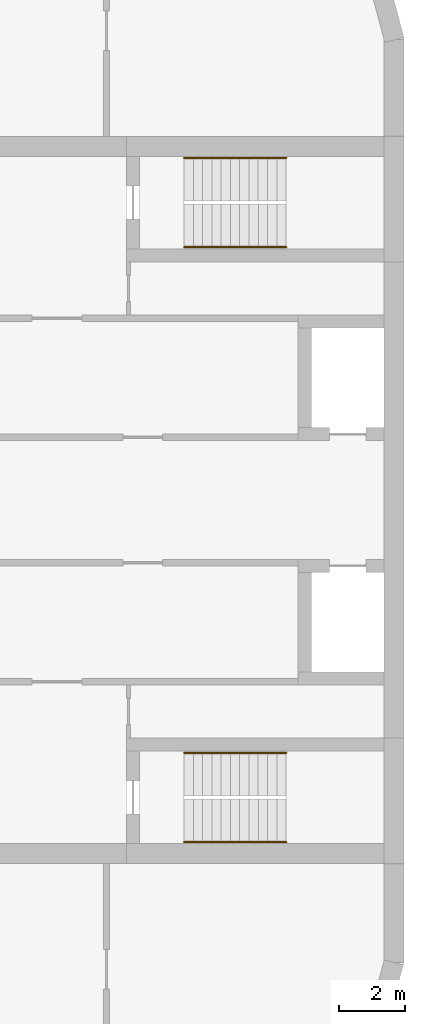
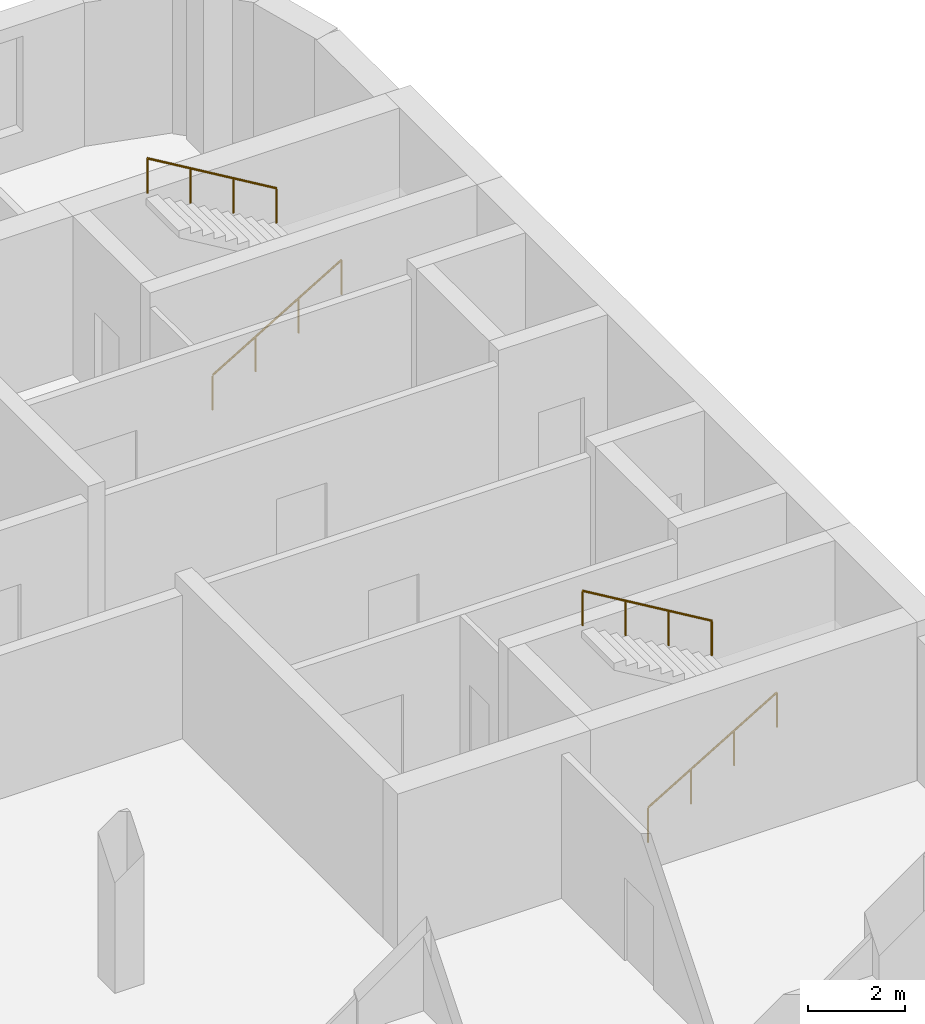
# One storey, part 12 of 12: 4 railings.
"""IFC4 building model written with IfcOpenShell, lengths in metres."""

from ifc_helpers import new_model, si_unit, direction, frame, origin, origin_2d, place, context, subcontext, project, spatial, circle, extrude, material, type_object, element, save


model = new_model("IFC4")

# Units and contexts
model_context = context("Model", 3, precision=1e-05, world=origin(), true_north=direction((0.0, 1.0)))
body_context = subcontext(model_context, "Body", "Model", "MODEL_VIEW")
ifc_project = project(units=[si_unit("LENGTHUNIT", "METRE"), si_unit("AREAUNIT", "SQUARE_METRE"), si_unit("VOLUMEUNIT", "CUBIC_METRE"), si_unit("PLANEANGLEUNIT", "RADIAN"), si_unit("MASSUNIT", "GRAM", prefix="KILO")], contexts=[model_context])

# Site, building, storey
site_placement = place(None, origin())
site = spatial("IfcSite", under=ifc_project, at=site_placement, CompositionType="ELEMENT")
building_placement = place(site_placement, origin())
building = spatial("IfcBuilding", under=site, at=building_placement, Name="Skarvind Civic Tower", CompositionType="ELEMENT")
storey_placement = place(building_placement, frame((0.0, 0.0, 63.5)))
storey = spatial("IfcBuildingStorey", under=building, at=storey_placement, Name="L14", CompositionType="ELEMENT", Elevation=63.5)

# Railings
ifc_material = material(Name="Painted steel handrail", Category="steel")
railing_type = type_object("IfcRailingType", Name="Stair handrail 900", PredefinedType="HANDRAIL", material=ifc_material)
railing_1_placement = place(storey_placement, frame((160.35009765625, 135.64990234375, 0.166748046875)))
element("IfcRailing", 1, at=railing_1_placement, inside=storey, type_object=railing_type, Name="Stair handrail", PredefinedType="HANDRAIL", context=body_context, shape_type="SweptSolid", body=[
    extrude(circle(Radius=0.02392578125, at=origin_2d()), frame((0.0, 0.0, 0.8759765625), z_axis=(0.859290745958, 0.0, 0.51148745235), x_axis=(0.0, 1.0, 0.0)), (0.0, 0.0, 1.0), 3.584228515625),
    extrude(circle(Radius=0.02099609375, at=origin_2d()), origin(), (0.0, 0.0, 1.0), 0.851806640625),
    extrude(circle(Radius=0.02099609375, at=origin_2d()), frame((1.026611328125, 0.0, 0.611083984375)), (0.0, 0.0, 1.0), 0.851806640625),
    extrude(circle(Radius=0.02099609375, at=origin_2d()), frame((2.05322265625, 0.0, 1.22216796875)), (0.0, 0.0, 1.0), 0.851806640625),
    extrude(circle(Radius=0.02099609375, at=origin_2d()), frame((3.079833984375, 0.0, 1.833251953125)), (0.0, 0.0, 1.0), 0.851806640625),
])
railing_2_placement = place(storey_placement, frame((163.429931640625, 138.35009765625, 2.166748046875)))
element("IfcRailing", 2, at=railing_2_placement, inside=storey, type_object=railing_type, Name="Stair handrail", PredefinedType="HANDRAIL", context=body_context, shape_type="SweptSolid", body=[
    extrude(circle(Radius=0.02392578125, at=origin_2d()), frame((0.0, 0.0, 0.8759765625), z_axis=(-0.859290745958, 0.0, 0.51148745235), x_axis=(0.0, -1.0, 0.0)), (0.0, 0.0, 1.0), 3.584228515625),
    extrude(circle(Radius=0.02099609375, at=origin_2d()), origin(), (0.0, 0.0, 1.0), 0.851806640625),
    extrude(circle(Radius=0.02099609375, at=origin_2d()), frame((-1.026611328125, 0.0, 0.611083984375)), (0.0, 0.0, 1.0), 0.851806640625),
    extrude(circle(Radius=0.02099609375, at=origin_2d()), frame((-2.05322265625, 0.0, 1.22216796875)), (0.0, 0.0, 1.0), 0.851806640625),
    extrude(circle(Radius=0.02099609375, at=origin_2d()), frame((-3.079833984375, 0.0, 1.833251953125)), (0.0, 0.0, 1.0), 0.851806640625),
])
railing_3_placement = place(storey_placement, frame((160.35009765625, 117.64990234375, 0.166748046875)))
element("IfcRailing", 3, at=railing_3_placement, inside=storey, type_object=railing_type, Name="Stair handrail", PredefinedType="HANDRAIL", context=body_context, shape_type="SweptSolid", body=[
    extrude(circle(Radius=0.02392578125, at=origin_2d()), frame((0.0, 0.0, 0.8759765625), z_axis=(0.859290745958, 0.0, 0.51148745235), x_axis=(0.0, 1.0, 0.0)), (0.0, 0.0, 1.0), 3.584228515625),
    extrude(circle(Radius=0.02099609375, at=origin_2d()), origin(), (0.0, 0.0, 1.0), 0.851806640625),
    extrude(circle(Radius=0.02099609375, at=origin_2d()), frame((1.026611328125, 0.0, 0.611083984375)), (0.0, 0.0, 1.0), 0.851806640625),
    extrude(circle(Radius=0.02099609375, at=origin_2d()), frame((2.05322265625, 0.0, 1.22216796875)), (0.0, 0.0, 1.0), 0.851806640625),
    extrude(circle(Radius=0.02099609375, at=origin_2d()), frame((3.079833984375, 0.0, 1.833251953125)), (0.0, 0.0, 1.0), 0.851806640625),
])
railing_4_placement = place(storey_placement, frame((163.429931640625, 120.35009765625, 2.166748046875)))
element("IfcRailing", 4, at=railing_4_placement, inside=storey, type_object=railing_type, Name="Stair handrail", PredefinedType="HANDRAIL", context=body_context, shape_type="SweptSolid", body=[
    extrude(circle(Radius=0.02392578125, at=origin_2d()), frame((0.0, 0.0, 0.8759765625), z_axis=(-0.859290745958, 0.0, 0.51148745235), x_axis=(0.0, -1.0, 0.0)), (0.0, 0.0, 1.0), 3.584228515625),
    extrude(circle(Radius=0.02099609375, at=origin_2d()), origin(), (0.0, 0.0, 1.0), 0.851806640625),
    extrude(circle(Radius=0.02099609375, at=origin_2d()), frame((-1.026611328125, 0.0, 0.611083984375)), (0.0, 0.0, 1.0), 0.851806640625),
    extrude(circle(Radius=0.02099609375, at=origin_2d()), frame((-2.05322265625, 0.0, 1.22216796875)), (0.0, 0.0, 1.0), 0.851806640625),
    extrude(circle(Radius=0.02099609375, at=origin_2d()), frame((-3.079833984375, 0.0, 1.833251953125)), (0.0, 0.0, 1.0), 0.851806640625),
])

save(model, "model.ifc")
